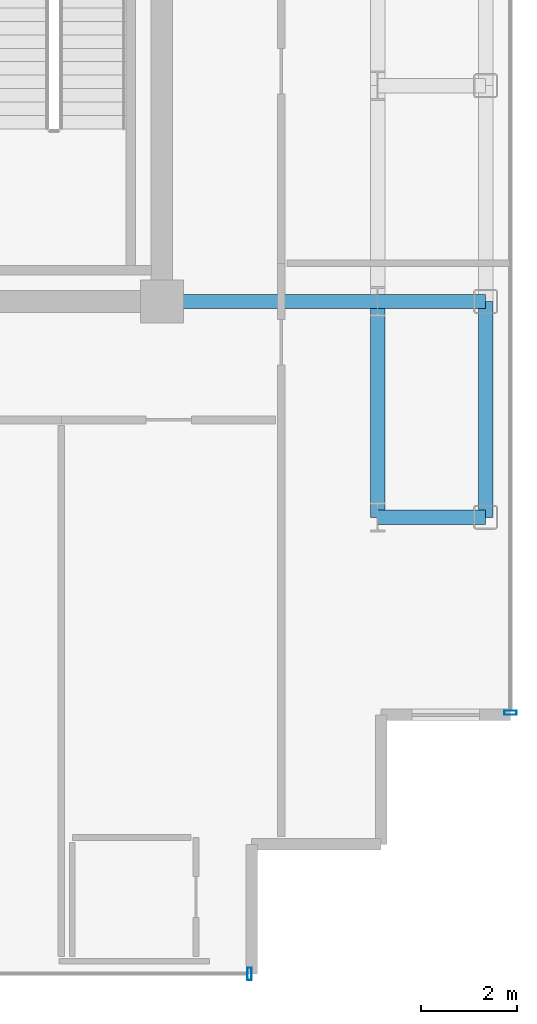
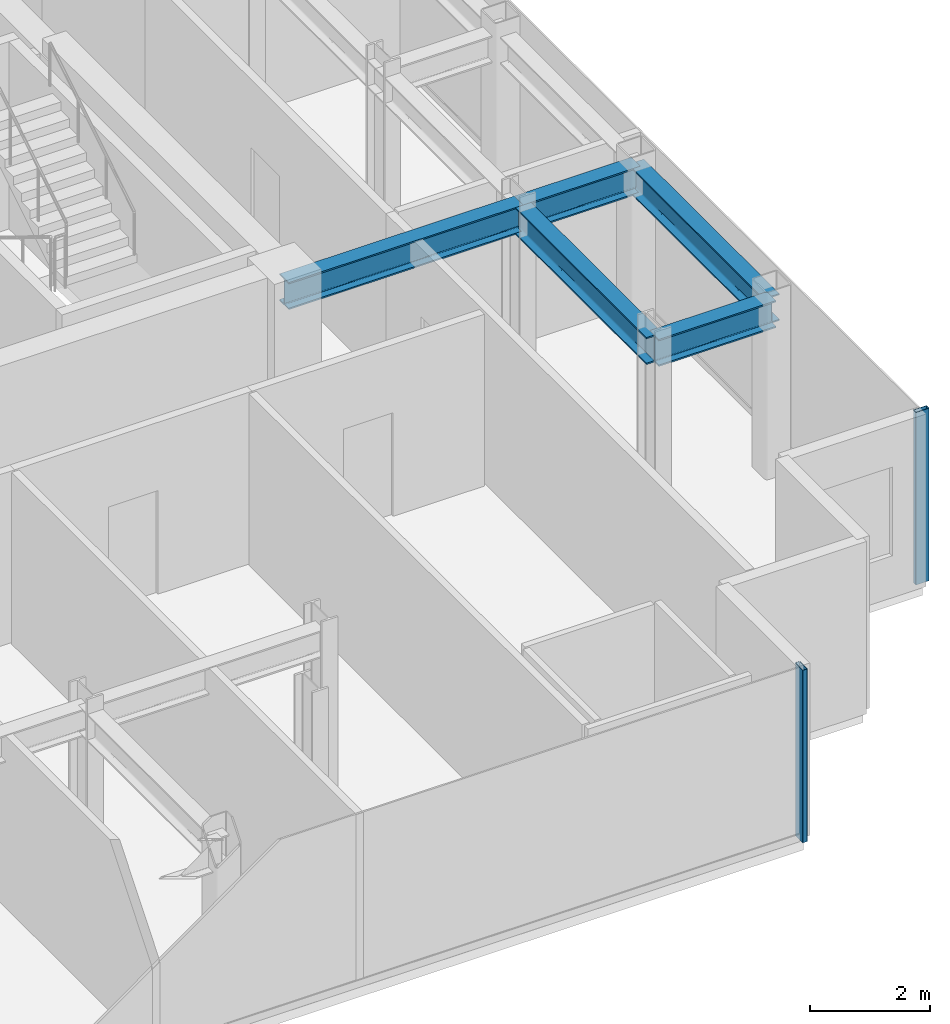
# One storey, part 6 of 18: 5 beams, 2 members, 2 elements without a shape of their own.
"""IFC4 building model written with IfcOpenShell, lengths in metres."""

from ifc_helpers import new_model, si_unit, direction, frame, origin, origin_2d, place, context, subcontext, project, spatial, hollow_rectangle, i_section, extrude, source, transform, mapped, material, layer, layer_set, material_profile, profile_set, type_object, element, aggregate, save


model = new_model("IFC4")

# Units and contexts
model_context = context("Model", 3, precision=1e-05, world=origin(), true_north=direction((0.0, 1.0)))
body_context = subcontext(model_context, "Body", "Model", "MODEL_VIEW")
ifc_project = project(units=[si_unit("LENGTHUNIT", "METRE"), si_unit("AREAUNIT", "SQUARE_METRE"), si_unit("VOLUMEUNIT", "CUBIC_METRE"), si_unit("PLANEANGLEUNIT", "RADIAN"), si_unit("MASSUNIT", "GRAM", prefix="KILO")], contexts=[model_context])

# Site, building, storey
site_placement = place(None, origin())
site = spatial("IfcSite", under=ifc_project, at=site_placement, CompositionType="ELEMENT")
building_placement = place(site_placement, origin())
building = spatial("IfcBuilding", under=site, at=building_placement, Name="Nefas-Gora Pilgrimage Tower", CompositionType="ELEMENT")
storey_placement = place(building_placement, frame((0.0, 0.0, 314.0)))
storey = spatial("IfcBuildingStorey", under=building, at=storey_placement, Name="L79", CompositionType="ELEMENT", Elevation=314.0)

# Beams
ifc_material_1 = material(Name="Steel S355", Category="steel")
ifc_material_profile_1 = material_profile(ifc_material_1, i_section(OverallWidth=0.300048828125, OverallDepth=0.550048828125, WebThickness=0.014892578125, FlangeThickness=0.029052734375, FilletRadius=0.027099609375, at=origin_2d()), Name="HEB 550")
ifc_profile_set_1 = profile_set([ifc_material_profile_1], Name="Steel S355")
beam_type_1 = type_object("IfcBeamType", Name="BM-SPN-HEB400", PredefinedType="SPANDREL", material=ifc_profile_set_1)
shared_shape_1 = source(origin(), body_context, "Body", "SweptSolid", [
    extrude(i_section(OverallWidth=0.300048828125, OverallDepth=0.550048828125, WebThickness=0.014892578125, FlangeThickness=0.029052734375, FilletRadius=0.027099609375, at=origin_2d()), origin(), (0.0, 0.0, 1.0), 4.5),
])
beam_placement = place(storey_placement, frame((18.0, -13.5, 3.22509765625), z_axis=(0.0, 1.0, 0.0), x_axis=(-1.0, 0.0, 0.0)))
element("IfcBeam", 1, at=beam_placement, inside=storey, type_object=beam_type_1, Name="L79 SP-04 beam", PredefinedType="SPANDREL", context=body_context, shape_type="MappedRepresentation", body=[
    mapped(shared_shape_1, transform((0.0, 0.0, 0.0), x_axis=(1.0, 0.0, 0.0), y_axis=(0.0, 1.0, 0.0), z_axis=(0.0, 0.0, 1.0), scale=1.0)),
])
ifc_material_profile_2 = material_profile(ifc_material_1, i_section(OverallWidth=0.300048828125, OverallDepth=0.550048828125, WebThickness=0.014892578125, FlangeThickness=0.029052734375, FilletRadius=0.027099609375, at=origin_2d()), Name="HEB 550")
ifc_profile_set_2 = profile_set([ifc_material_profile_2], Name="Steel S355")
beam_type_2 = type_object("IfcBeamType", Name="BM-GIR-HEB550", PredefinedType="BEAM", material=ifc_profile_set_2)
shared_shape_2 = source(origin(), body_context, "Body", "SweptSolid", [
    extrude(i_section(OverallWidth=0.300048828125, OverallDepth=0.550048828125, WebThickness=0.014892578125, FlangeThickness=0.029052734375, FilletRadius=0.027099609375, at=origin_2d()), origin(), (0.0, 0.0, 1.0), 4.5),
])
for number, where, z_axis, x_axis, name in (
    (2, (11.25, -9.0, 3.22509765625), (1.0, 0.0, 0.0), (0.0, 1.0, 0.0), "L79 G-05 beam"),
    (3, (15.75, -13.5, 3.22509765625), (0.0, 1.0, 0.0), (-1.0, 0.0, 0.0), "L79 G-05 beam"),
):
    element("IfcBeam", number, at=place(storey_placement, frame(where, z_axis=z_axis, x_axis=x_axis)), inside=storey, type_object=beam_type_2, Name=name, PredefinedType="BEAM", context=body_context, shape_type="MappedRepresentation", body=[
        mapped(shared_shape_2, transform((0.0, 0.0, 0.0), x_axis=(1.0, 0.0, 0.0), y_axis=(0.0, 1.0, 0.0), z_axis=(0.0, 0.0, 1.0), scale=1.0)),
    ])
shared_shape_3 = source(origin(), body_context, "Body", "SweptSolid", [
    extrude(i_section(OverallWidth=0.300048828125, OverallDepth=0.550048828125, WebThickness=0.014892578125, FlangeThickness=0.029052734375, FilletRadius=0.027099609375, at=origin_2d()), origin(), (0.0, 0.0, 1.0), 2.25),
])
for number, where, z_axis, x_axis, name in (
    (4, (15.75, -13.5, 3.22509765625), (1.0, 0.0, 0.0), (0.0, 1.0, 0.0), "L79 G-05 beam"),
    (5, (15.75, -9.0, 3.22509765625), (1.0, 0.0, 0.0), (0.0, 1.0, 0.0), "L79 G-05 beam"),
):
    element("IfcBeam", number, at=place(storey_placement, frame(where, z_axis=z_axis, x_axis=x_axis)), inside=storey, type_object=beam_type_2, Name=name, PredefinedType="BEAM", context=body_context, shape_type="MappedRepresentation", body=[
        mapped(shared_shape_3, transform((0.0, 0.0, 0.0), x_axis=(1.0, 0.0, 0.0), y_axis=(0.0, 1.0, 0.0), z_axis=(0.0, 0.0, 1.0), scale=1.0)),
    ])

# Curtain wall, member
ifc_material_2 = material(Name="Dark ceramic-fritted solar-control aluminium-glass curtain wall", Category="aluminium")
ifc_layer = layer(ifc_material_2, 0.219970703125)
ifc_layer_set = layer_set([ifc_layer], Name="Dark ceramic-fritted solar-control aluminium-glass curtain wall")
curtain_wall_type = type_object("IfcCurtainWallType", Name="CW-SYS-4", PredefinedType="NOTDEFINED", material=ifc_layer_set)
curtain_wall_1_placement = place(storey_placement, origin())
curtain_wall_1 = element("IfcCurtainWall", 6, at=curtain_wall_1_placement, inside=storey, type_object=curtain_wall_type, Name="L79 Unitised Curtain Wall CW4", PredefinedType="NOTDEFINED")
ifc_material_3 = material(Name="Anodised architectural aluminium", Category="aluminium")
ifc_material_profile_3 = material_profile(ifc_material_3, hollow_rectangle(XDim=0.090087890625, YDim=0.260009765625, WallThickness=0.006103515625, InnerFilletRadius=0.006103515625, OuterFilletRadius=0.011962890625, at=origin_2d()), Name="ALU MULLION 90x260")
ifc_profile_set_3 = profile_set([ifc_material_profile_3], Name="Anodised architectural aluminium")
member_type = type_object("IfcMemberType", Name="CWM-MUL-4", PredefinedType="MULLION", material=ifc_profile_set_3)
shared_shape_4 = source(origin(), body_context, "Body", "SweptSolid", [
    extrude(hollow_rectangle(XDim=0.090087890625, YDim=0.260009765625, WallThickness=0.006103515625, InnerFilletRadius=0.006103515625, OuterFilletRadius=0.011962890625, at=origin_2d()), origin(), (0.0, 0.0, 1.0), 3.5),
])
member_1_placement = place(storey_placement, frame((18.52001953125, -17.574951171875, 0.0), z_axis=(0.0, 0.0, 1.0), x_axis=(0.0, 1.0, 0.0)))
member_1 = element("IfcMember", 7, at=member_1_placement, type_object=member_type, Name="CW4 Mullion 1", PredefinedType="MULLION", context=body_context, shape_type="MappedRepresentation", body=[
    mapped(shared_shape_4, transform((0.0, 0.0, 0.0), x_axis=(1.0, 0.0, 0.0), y_axis=(0.0, 1.0, 0.0), z_axis=(0.0, 0.0, 1.0), scale=1.0)),
])
aggregate(curtain_wall_1, [member_1])

curtain_wall_2_placement = place(storey_placement, origin())
curtain_wall_2 = element("IfcCurtainWall", 8, at=curtain_wall_2_placement, inside=storey, type_object=curtain_wall_type, Name="L79 Unitised Curtain Wall CW4", PredefinedType="NOTDEFINED")
member_2_placement = place(storey_placement, frame((13.074951171875, -23.02001953125, 0.0), z_axis=(0.0, 0.0, 1.0), x_axis=(1.0, 0.0, 0.0)))
member_2 = element("IfcMember", 9, at=member_2_placement, type_object=member_type, Name="CW4 Mullion 2", PredefinedType="MULLION", context=body_context, shape_type="MappedRepresentation", body=[
    mapped(shared_shape_4, transform((0.0, 0.0, 0.0), x_axis=(1.0, 0.0, 0.0), y_axis=(0.0, 1.0, 0.0), z_axis=(0.0, 0.0, 1.0), scale=1.0)),
])
aggregate(curtain_wall_2, [member_2])

save(model, "model.ifc")
